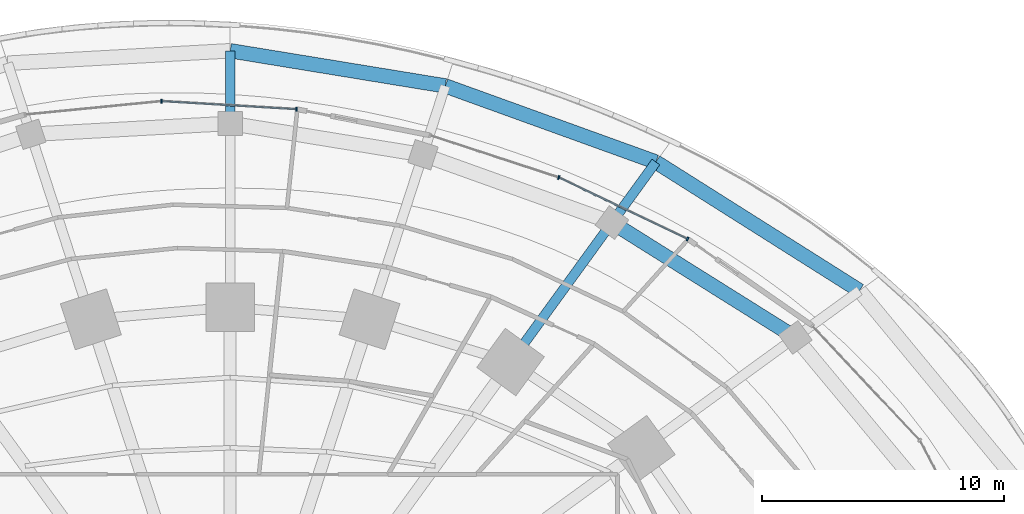
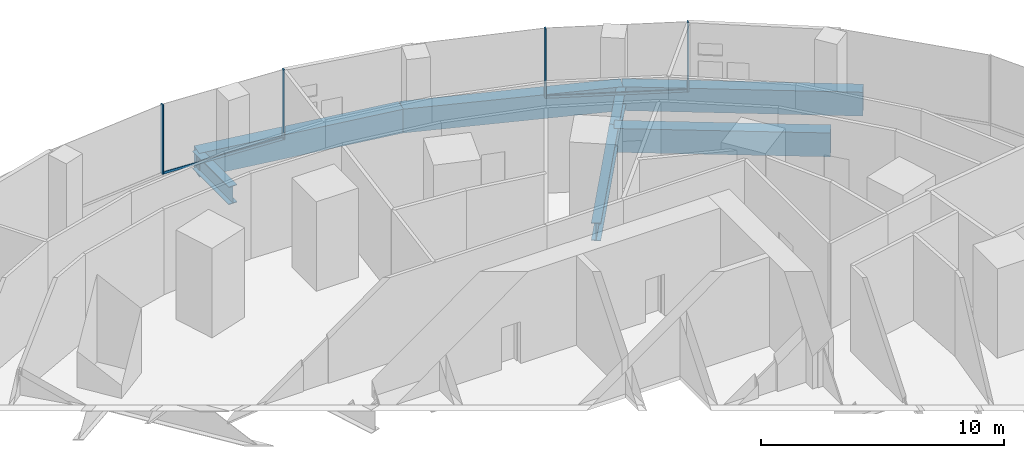
# One storey, part 12 of 26: 7 beams, 6 members, 3 elements without a shape of their own.
"""IFC4 building model written with IfcOpenShell, lengths in metres."""

from ifc_helpers import new_model, si_unit, direction, frame, origin, origin_2d, place, context, subcontext, project, spatial, rectangle, i_section, extrude, material, material_profile, profile_set, type_object, element, aggregate, save


model = new_model("IFC4")

# Units and contexts
model_context = context("Model", 3, precision=1e-05, world=origin(), true_north=direction((0.0, 1.0)))
body_context = subcontext(model_context, "Body", "Model", "MODEL_VIEW")
ifc_project = project(units=[si_unit("LENGTHUNIT", "METRE"), si_unit("AREAUNIT", "SQUARE_METRE"), si_unit("VOLUMEUNIT", "CUBIC_METRE"), si_unit("PLANEANGLEUNIT", "RADIAN"), si_unit("MASSUNIT", "GRAM", prefix="KILO")], contexts=[model_context])

# Site, building, storey
site_placement = place(None, origin())
site = spatial("IfcSite", under=ifc_project, at=site_placement, CompositionType="ELEMENT")
building_placement = place(site_placement, origin())
building = spatial("IfcBuilding", under=site, at=building_placement, Name="Marramba Exchange Tower", CompositionType="ELEMENT")
storey_placement = place(building_placement, frame((0.0, 0.0, 15.10009765625)))
storey = spatial("IfcBuildingStorey", under=building, at=storey_placement, Name="L03", CompositionType="ELEMENT", Elevation=15.10009765625)

# Beams
ifc_material_1 = material(Name="Concrete N50", Category="concrete")
ifc_material_profile_1 = material_profile(ifc_material_1, rectangle(XDim=0.60009765625, YDim=1.199951171875, at=origin_2d()), Name="RC 600x1200")
ifc_profile_set_1 = profile_set([ifc_material_profile_1], Name="Concrete N50")
beam_type_1 = type_object("IfcBeamType", Name="Edge beam RC 600x1200 N50", PredefinedType="SPANDREL", material=ifc_profile_set_1)
beam_1_placement = place(storey_placement, frame((25.99658203125, 18.8876953125, -0.85009765625), z_axis=(-0.845320367889, 0.534259745473, 0.0), x_axis=(-0.534259745473, -0.845320367889, 0.0)))
element("IfcBeam", 1, at=beam_1_placement, inside=storey, type_object=beam_type_1, Name="Edge beam L03 P2C03", PredefinedType="SPANDREL", context=body_context, shape_type="SweptSolid", body=[
    extrude(rectangle(XDim=0.60009765625, YDim=1.199951171875, at=origin_2d()), origin(), (0.0, 0.0, 1.0), 9.950439453125),
])
beam_2_placement = place(storey_placement, frame((17.585205078125, 24.203857421875, -0.85009765625), z_axis=(-0.940481976413, 0.339843569958, 0.0), x_axis=(-0.339843569958, -0.940481976413, 0.0)))
element("IfcBeam", 2, at=beam_2_placement, inside=storey, type_object=beam_type_1, Name="Edge beam L03 P2C04", PredefinedType="SPANDREL", context=body_context, shape_type="SweptSolid", body=[
    extrude(rectangle(XDim=0.60009765625, YDim=1.199951171875, at=origin_2d()), origin(), (0.0, 0.0, 1.0), 9.25),
])
beam_3_placement = place(storey_placement, frame((8.8857421875, 27.347412109375, -0.85009765625), z_axis=(-0.986899242558, 0.161337797923, 0.0), x_axis=(-0.161337797923, -0.986899242558, 0.0)))
element("IfcBeam", 3, at=beam_3_placement, inside=storey, type_object=beam_type_1, Name="Edge beam L03 P2C05", PredefinedType="SPANDREL", context=body_context, shape_type="SweptSolid", body=[
    extrude(rectangle(XDim=0.60009765625, YDim=1.199951171875, at=origin_2d()), origin(), (0.0, 0.0, 1.0), 9.003662109375),
])
beam_4_placement = place(storey_placement, frame((23.34228515625, 16.959228515625, -0.800048828125), z_axis=(-0.847342315291, 0.531047079567, 0.0), x_axis=(-0.531047079567, -0.847342315291, 0.0)))
element("IfcBeam", 4, at=beam_4_placement, inside=storey, type_object=beam_type_1, Name="Edge beam L03 P3C03", PredefinedType="SPANDREL", context=body_context, shape_type="SweptSolid", body=[
    extrude(rectangle(XDim=0.60009765625, YDim=1.199951171875, at=origin_2d()), origin(), (0.0, 0.0, 1.0), 8.936767578125),
])

# Curtain wall, member
ifc_material_2 = material(Name="Aluminium framing, bronze anodised", Category="aluminium")
curtain_wall_type = type_object("IfcCurtainWallType", Name="Podium ribbon curtain wall", PredefinedType="USERDEFINED", material=ifc_material_2)
curtain_wall_1_placement = place(storey_placement, origin())
curtain_wall_1 = element("IfcCurtainWall", 5, at=curtain_wall_1_placement, inside=storey, type_object=curtain_wall_type, Name="Curtain wall CW2 L03 F05", ObjectType="RIBBON CURTAIN WALL", PredefinedType="USERDEFINED")
ifc_material_3 = material(Name="Aluminium mullion, bronze anodised", Category="aluminium")
ifc_material_profile_2 = material_profile(ifc_material_3, rectangle(XDim=0.159912109375, YDim=0.06005859375, at=origin_2d()), Name="CW2 mullion 60x160")
ifc_profile_set_2 = profile_set([ifc_material_profile_2], Name="Aluminium mullion, bronze anodised")
member_type_1 = type_object("IfcMemberType", Name="Podium ribbon curtain wall mullion", PredefinedType="MULLION", material=ifc_profile_set_2)
member_1_placement = place(storey_placement, frame((18.890869140625, 21.0234375, 0.7998046875), z_axis=(0.0, 0.0, 1.0), x_axis=(-0.431485631167, -0.90211980917, 0.0)))
member_1 = element("IfcMember", 6, at=member_1_placement, type_object=member_type_1, Name="CW2 mullion 1", PredefinedType="MULLION", context=body_context, shape_type="SweptSolid", body=[
    extrude(rectangle(XDim=0.159912109375, YDim=0.06005859375, at=origin_2d()), origin(), (0.0, 0.0, 1.0), 3.5),
])

curtain_wall_2_placement = place(storey_placement, origin())
curtain_wall_2 = element("IfcCurtainWall", 7, at=curtain_wall_2_placement, inside=storey, type_object=curtain_wall_type, Name="Curtain wall CW2 L03 F06", ObjectType="RIBBON CURTAIN WALL", PredefinedType="USERDEFINED")
member_2_placement = place(storey_placement, frame((13.57080078125, 23.563720703125, 0.7998046875), z_axis=(0.0, 0.0, 1.0), x_axis=(-0.310861800816, -0.950455122977, 0.0)))
member_2 = element("IfcMember", 8, at=member_2_placement, type_object=member_type_1, Name="CW2 mullion 1", PredefinedType="MULLION", context=body_context, shape_type="SweptSolid", body=[
    extrude(rectangle(XDim=0.159912109375, YDim=0.06005859375, at=origin_2d()), origin(), (0.0, 0.0, 1.0), 3.5),
])
aggregate(curtain_wall_2, [member_2])

# Curtain wall, members
curtain_wall_3_placement = place(storey_placement, origin())
curtain_wall_3 = element("IfcCurtainWall", 9, at=curtain_wall_3_placement, inside=storey, type_object=curtain_wall_type, Name="Curtain wall CW2 L03 F08-F09", ObjectType="RIBBON CURTAIN WALL", PredefinedType="USERDEFINED")
member_3_placement = place(storey_placement, frame((2.7431640625, 26.385009765625, 0.7998046875), z_axis=(0.0, 0.0, 1.0), x_axis=(-0.059467634766, -0.998230234172, 0.0)))
member_3 = element("IfcMember", 10, at=member_3_placement, type_object=member_type_1, Name="CW2 mullion 1", PredefinedType="MULLION", context=body_context, shape_type="SweptSolid", body=[
    extrude(rectangle(XDim=0.159912109375, YDim=0.06005859375, at=origin_2d()), origin(), (0.0, 0.0, 1.0), 3.5),
])
member_4_placement = place(storey_placement, frame((-2.837890625, 26.712890625, 0.7998046875), z_axis=(0.0, 0.0, 1.0), x_axis=(0.097914390115, -0.995194841329, 0.0)))
member_4 = element("IfcMember", 11, at=member_4_placement, type_object=member_type_1, Name="CW2 mullion 1", PredefinedType="MULLION", context=body_context, shape_type="SweptSolid", body=[
    extrude(rectangle(XDim=0.159912109375, YDim=0.06005859375, at=origin_2d()), origin(), (0.0, 0.0, 1.0), 3.5),
])

# Member
ifc_material_4 = material(Name="Aluminium transom, bronze anodised", Category="aluminium")
ifc_material_profile_3 = material_profile(ifc_material_4, rectangle(XDim=0.06005859375, YDim=0.1201171875, at=origin_2d()), Name="CW2 transom 60x120")
ifc_profile_set_3 = profile_set([ifc_material_profile_3], Name="Aluminium transom, bronze anodised")
member_type_2 = type_object("IfcMemberType", Name="Podium ribbon curtain wall transom", PredefinedType="USERDEFINED", material=ifc_profile_set_3)
member_5_placement = place(storey_placement, frame((18.86376953125, 21.036376953125, 0.829833984375), z_axis=(-0.902121477777, 0.431482142543, 0.0), x_axis=(-0.431482142543, -0.902121477777, 0.0)))
member_5 = element("IfcMember", 12, at=member_5_placement, type_object=member_type_2, Name="CW2 sill transom", ObjectType="TRANSOM", PredefinedType="USERDEFINED", context=body_context, shape_type="SweptSolid", body=[
    extrude(rectangle(XDim=0.06005859375, YDim=0.1201171875, at=origin_2d()), origin(), (0.0, 0.0, 1.0), 5.8359375),
])

aggregate(curtain_wall_1, [member_1, member_5])

member_6_placement = place(storey_placement, frame((2.713134765625, 26.386962890625, 0.829833984375), z_axis=(-0.998230719683, 0.059459484364, 0.0), x_axis=(-0.059459484364, -0.998230719683, 0.0)))
member_6 = element("IfcMember", 13, at=member_6_placement, type_object=member_type_2, Name="CW2 sill transom", ObjectType="TRANSOM", PredefinedType="USERDEFINED", context=body_context, shape_type="SweptSolid", body=[
    extrude(rectangle(XDim=0.06005859375, YDim=0.1201171875, at=origin_2d()), origin(), (0.0, 0.0, 1.0), 5.53076171875),
])

aggregate(curtain_wall_3, [member_3, member_6, member_4])

# Beams
ifc_material_5 = material(Name="Steel AS/NZS 3679.2 grade 300", Category="steel")
ifc_material_profile_4 = material_profile(ifc_material_5, i_section(OverallWidth=0.39990234375, OverallDepth=0.89990234375, WebThickness=0.01611328125, FlangeThickness=0.031982421875, at=origin_2d()), Name="900WB282")
ifc_profile_set_4 = profile_set([ifc_material_profile_4], Name="Steel AS/NZS 3679.2 grade 300")
beam_type_2 = type_object("IfcBeamType", Name="Radial girder 900WB282", PredefinedType="BEAM", material=ifc_profile_set_4)
beam_5_placement = place(storey_placement, frame((17.585205078125, 24.203857421875, -0.7001953125), z_axis=(-0.587776831065, -0.809023112688, 0.0), x_axis=(0.809023112688, -0.587776831065, 0.0)))
element("IfcBeam", 14, at=beam_5_placement, inside=storey, type_object=beam_type_2, Name="Radial girder L03 P2C04", PredefinedType="BEAM", context=body_context, shape_type="SweptSolid", body=[
    extrude(i_section(OverallWidth=0.39990234375, OverallDepth=0.89990234375, WebThickness=0.01611328125, FlangeThickness=0.031982421875, at=origin_2d()), origin(), (0.0, 0.0, 1.0), 3.088623046875),
])
beam_6_placement = place(storey_placement, frame((0.0, 28.800048828125, -0.7001953125), z_axis=(0.0, -1.0, 0.0), x_axis=(1.0, 0.0, 0.0)))
element("IfcBeam", 15, at=beam_6_placement, inside=storey, type_object=beam_type_2, Name="Radial girder L03 P2C06", PredefinedType="BEAM", context=body_context, shape_type="SweptSolid", body=[
    extrude(i_section(OverallWidth=0.39990234375, OverallDepth=0.89990234375, WebThickness=0.01611328125, FlangeThickness=0.031982421875, at=origin_2d()), origin(), (0.0, 0.0, 1.0), 3.0),
])
beam_7_placement = place(storey_placement, frame((15.769775390625, 21.705078125, -0.650146484375), z_axis=(-0.587804937429, -0.80900269192, 0.0), x_axis=(0.80900269192, -0.587804937429, 0.0)))
element("IfcBeam", 16, at=beam_7_placement, inside=storey, type_object=beam_type_2, Name="Radial girder L03 P3C04", PredefinedType="BEAM", context=body_context, shape_type="SweptSolid", body=[
    extrude(i_section(OverallWidth=0.39990234375, OverallDepth=0.89990234375, WebThickness=0.01611328125, FlangeThickness=0.031982421875, at=origin_2d()), origin(), (0.0, 0.0, 1.0), 7.125732421875),
])

save(model, "model.ifc")
